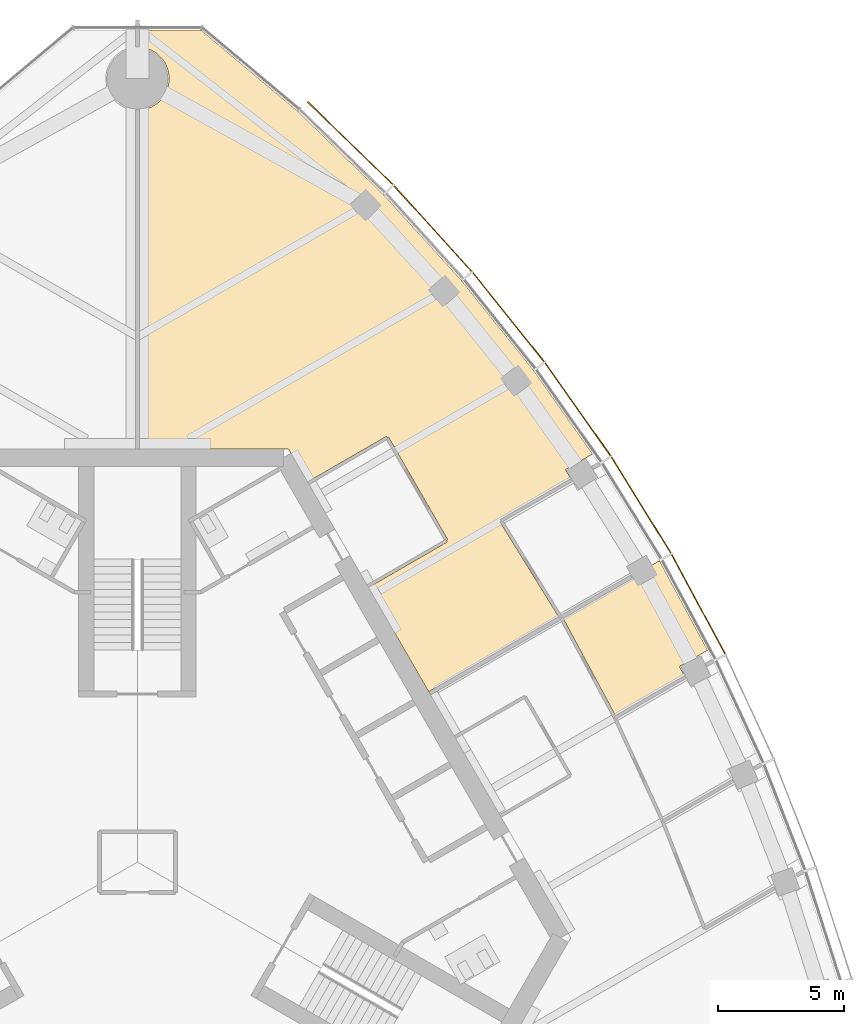
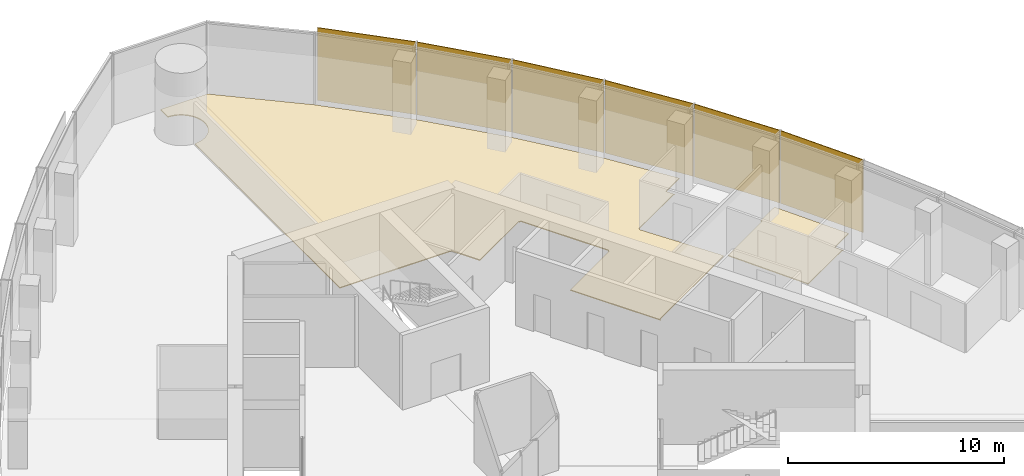
# One storey, part 14 of 16: 6 shading devices, 2 coverings.
"""IFC4 building model written with IfcOpenShell, lengths in metres."""

from ifc_helpers import new_model, si_unit, direction, frame, origin, origin_2d, place, context, subcontext, project, spatial, polyline, rectangle, outline, extrude, material, layer, layer_set, type_object, element, save


model = new_model("IFC4")

# Units and contexts
model_context = context("Model", 3, precision=1e-05, world=origin(), true_north=direction((0.0, 1.0)))
body_context = subcontext(model_context, "Body", "Model", "MODEL_VIEW")
ifc_project = project(units=[si_unit("LENGTHUNIT", "METRE"), si_unit("AREAUNIT", "SQUARE_METRE"), si_unit("VOLUMEUNIT", "CUBIC_METRE"), si_unit("PLANEANGLEUNIT", "RADIAN"), si_unit("MASSUNIT", "GRAM", prefix="KILO")], contexts=[model_context])

# Site, building, storey
site_placement = place(None, origin())
site = spatial("IfcSite", under=ifc_project, at=site_placement, CompositionType="ELEMENT")
building_placement = place(site_placement, origin())
building = spatial("IfcBuilding", under=site, at=building_placement, Name="Trefoil Bronze Tower", CompositionType="ELEMENT")
storey_placement = place(building_placement, frame((0.0, 0.0, 297.300048828125)))
storey = spatial("IfcBuildingStorey", under=building, at=storey_placement, Name="L68", CompositionType="ELEMENT", Elevation=297.300048828125)

# Shading devices
ifc_material_1 = material(Name="Perforated bronze sheet", Category="bronze")
ifc_layer_1 = layer(ifc_material_1, 0.0400390625)
ifc_layer_set_1 = layer_set([ifc_layer_1], Name="Bronze solar screen panel")
shading_device_type = type_object("IfcShadingDeviceType", Name="Bronze solar screen panel", PredefinedType="SHUTTER", material=ifc_layer_set_1)
for number, where, z_axis, x_axis, name in (
    (1, (22.19775390625, 10.198974609375, 0.0498046875), (0.0, 0.0, 1.0), (-0.473562437085, 0.880760250115, 0.0), "Solar screen CW-A L68 F2 bay 5"),
    (2, (19.931396484375, 14.124267578125, 0.0498046875), (0.0, 0.0, 1.0), (-0.525979532701, 0.850497225851, 0.0), "Solar screen CW-A L68 F2 bay 6"),
):
    element("IfcShadingDevice", number, at=place(storey_placement, frame(where, z_axis=z_axis, x_axis=x_axis)), inside=storey, type_object=shading_device_type, Name=name, PredefinedType="SHUTTER", context=body_context, shape_type="SweptSolid", body=[
        extrude(rectangle(XDim=4.47216796875, YDim=0.0400390625, at=origin_2d()), origin(), (0.0, 0.0, 1.0), 4.10009765625),
    ])
shading_device_1_placement = place(storey_placement, frame((17.4267578125, 17.912109375, 0.0498046875), z_axis=(0.0, 0.0, 1.0), x_axis=(-0.576560967783, 0.817054129437, 0.0)))
element("IfcShadingDevice", 3, at=shading_device_1_placement, inside=storey, type_object=shading_device_type, Name="Solar screen CW-A L68 F2 bay 7", PredefinedType="SHUTTER", context=body_context, shape_type="SweptSolid", body=[
    extrude(rectangle(XDim=4.48876953125, YDim=0.0400390625, at=origin_2d()), origin(), (0.0, 0.0, 1.0), 4.10009765625),
])
shading_device_2_placement = place(storey_placement, frame((14.680908203125, 21.560791015625, 0.0498046875), z_axis=(0.0, 0.0, 1.0), x_axis=(-0.625286758829, 0.780395072533, 0.0)))
element("IfcShadingDevice", 4, at=shading_device_2_placement, inside=storey, type_object=shading_device_type, Name="Solar screen CW-A L68 F2 bay 8", PredefinedType="SHUTTER", context=body_context, shape_type="SweptSolid", body=[
    extrude(rectangle(XDim=4.5224609375, YDim=0.0400390625, at=origin_2d()), origin(), (0.0, 0.0, 1.0), 4.10009765625),
])
shading_device_3_placement = place(storey_placement, frame((11.688720703125, 25.067138671875, 0.0498046875), z_axis=(0.0, 0.0, 1.0), x_axis=(-0.672115274615, 0.74044652584, 0.0)))
element("IfcShadingDevice", 5, at=shading_device_3_placement, inside=storey, type_object=shading_device_type, Name="Solar screen CW-A L68 F2 bay 9", PredefinedType="SHUTTER", context=body_context, shape_type="SweptSolid", body=[
    extrude(rectangle(XDim=4.574462890625, YDim=0.0400390625, at=origin_2d()), origin(), (0.0, 0.0, 1.0), 4.10009765625),
])
shading_device_4_placement = place(storey_placement, frame((8.42236328125, 28.443359375, 0.0498046875), z_axis=(0.0, 0.0, 1.0), x_axis=(-0.71721818561, 0.696848673839, 0.0)))
element("IfcShadingDevice", 6, at=shading_device_4_placement, inside=storey, type_object=shading_device_type, Name="Solar screen CW-A L68 F2 bay 10", PredefinedType="SHUTTER", context=body_context, shape_type="SweptSolid", body=[
    extrude(rectangle(XDim=4.697509765625, YDim=0.0400390625, at=origin_2d()), origin(), (0.0, 0.0, 1.0), 4.10009765625),
])

# Coverings
ifc_material_2 = material(Name="Raised access floor panels", Category="steel")
ifc_layer_2 = layer(ifc_material_2, 0.050048828125)
ifc_layer_set_2 = layer_set([ifc_layer_2], Name="Raised access floor 150")
covering_type = type_object("IfcCoveringType", Name="Raised access floor 150", PredefinedType="FLOORING", material=ifc_layer_set_2)
covering_1_placement = place(storey_placement, frame((0.0, 0.0, 0.099853515625)))
element("IfcCovering", 7, at=covering_1_placement, inside=storey, type_object=covering_type, Name="Raised floor L68 Client meeting room F2", PredefinedType="FLOORING", context=body_context, shape_type="SweptSolid", body=[
    extrude(outline(polyline([(20.656005859375, 11.92578125), (22.56201171875, 8.38134765625), (21.441650390625, 7.734619140625), (21.680419921875, 7.321044921875), (21.677490234375, 7.3193359375), (21.647705078125, 7.371337890625), (18.91455078125, 5.79345703125), (16.846435546875, 9.6396484375), (19.585205078125, 11.220703125), (19.547607421875, 11.285888671875), (20.656005859375, 11.92578125)])), origin(), (0.0, 0.0, 1.0), 0.050048828125),
])
covering_2_placement = place(storey_placement, frame((0.0, 0.0, 0.099853515625)))
element("IfcCovering", 8, at=covering_2_placement, inside=storey, type_object=covering_type, Name="Raised floor L68 Client suite F2", PredefinedType="FLOORING", context=body_context, shape_type="SweptSolid", body=[
    extrude(outline(polyline([(6.350830078125, 29.703125), (9.741455078125, 26.408935546875), (12.836181640625, 22.99951171875), (15.682861328125, 19.44677734375), (18.01171875, 16.146484375), (16.941650390625, 15.52880859375), (17.180419921875, 15.115234375), (17.177490234375, 15.113525390625), (17.147705078125, 15.16552734375), (14.361083984375, 13.556884765625), (14.39111328125, 13.5048828125), (14.340087890625, 13.47314453125), (16.66748046875, 9.709716796875), (11.53271484375, 6.7451171875), (11.569580078125, 6.680908203125), (11.560791015625, 6.67578125), (9.141357421875, 10.86669921875), (12.259033203125, 12.66650390625), (12.22900390625, 12.718505859375), (12.281005859375, 12.74853515625), (9.93115234375, 16.81884765625), (9.879150390625, 16.788818359375), (9.84912109375, 16.8408203125), (6.7314453125, 15.040771484375), (5.9755859375, 16.35009765625), (0.006103515625, 16.35009765625), (0.01123046875, 29.750244140625), (0.061279296875, 29.75146484375), (0.12255859375, 29.756103515625), (0.183349609375, 29.763427734375), (0.243896484375, 29.77392578125), (0.3037109375, 29.78759765625), (0.36279296875, 29.8037109375), (0.421142578125, 29.822998046875), (0.478515625, 29.84521484375), (0.534423828125, 29.8701171875), (0.589111328125, 29.897705078125), (0.642578125, 29.927734375), (0.694580078125, 29.960693359375), (0.74462890625, 29.99609375), (0.79296875, 30.03369140625), (0.83935546875, 30.07373046875), (0.8837890625, 30.1162109375), (0.92626953125, 30.16064453125), (0.96630859375, 30.20703125), (1.00390625, 30.25537109375), (1.039306640625, 30.305419921875), (1.072265625, 30.357421875), (1.102294921875, 30.410888671875), (1.1298828125, 30.465576171875), (1.15478515625, 30.521484375), (1.177001953125, 30.578857421875), (1.1962890625, 30.63720703125), (1.21240234375, 30.6962890625), (1.22607421875, 30.756103515625), (1.236572265625, 30.816650390625), (1.243896484375, 30.87744140625), (1.24853515625, 30.938720703125), (1.25, 31.0), (1.24853515625, 31.061279296875), (1.243896484375, 31.12255859375), (1.236572265625, 31.183349609375), (1.22607421875, 31.243896484375), (1.21240234375, 31.3037109375), (1.1962890625, 31.36279296875), (1.177001953125, 31.421142578125), (1.15478515625, 31.478515625), (1.1298828125, 31.534423828125), (1.102294921875, 31.589111328125), (1.072265625, 31.642578125), (1.039306640625, 31.694580078125), (1.00390625, 31.74462890625), (0.96630859375, 31.79296875), (0.92626953125, 31.83935546875), (0.8837890625, 31.8837890625), (0.83935546875, 31.92626953125), (0.79296875, 31.96630859375), (0.74462890625, 32.00390625), (0.694580078125, 32.039306640625), (0.642578125, 32.072265625), (0.589111328125, 32.102294921875), (0.534423828125, 32.1298828125), (0.478515625, 32.15478515625), (0.421142578125, 32.177001953125), (0.36279296875, 32.1962890625), (0.3037109375, 32.21240234375), (0.243896484375, 32.22607421875), (0.183349609375, 32.236572265625), (0.12255859375, 32.243896484375), (0.061279296875, 32.24853515625), (0.01220703125, 32.249755859375), (0.01220703125, 32.927490234375), (2.508056640625, 32.927490234375), (6.350830078125, 29.703125)])), origin(), (0.0, 0.0, 1.0), 0.050048828125),
])

save(model, "model.ifc")
